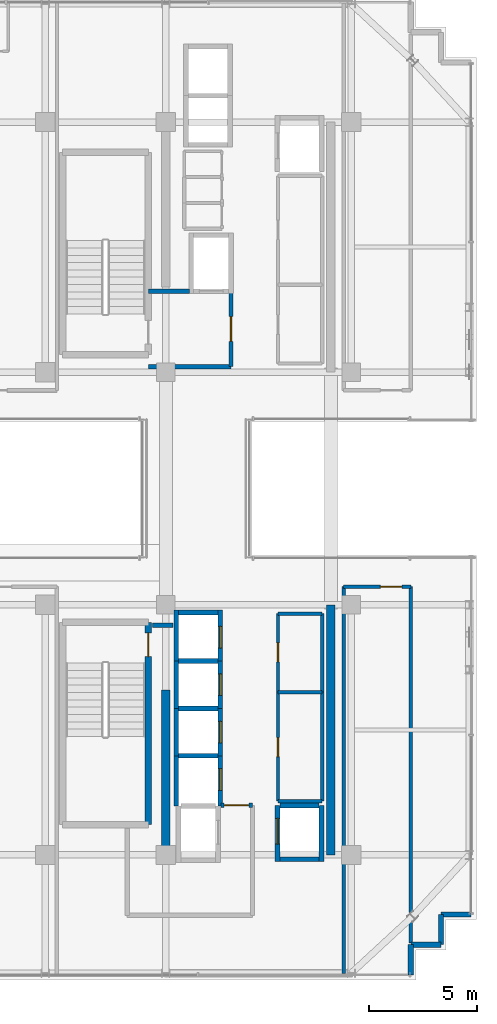
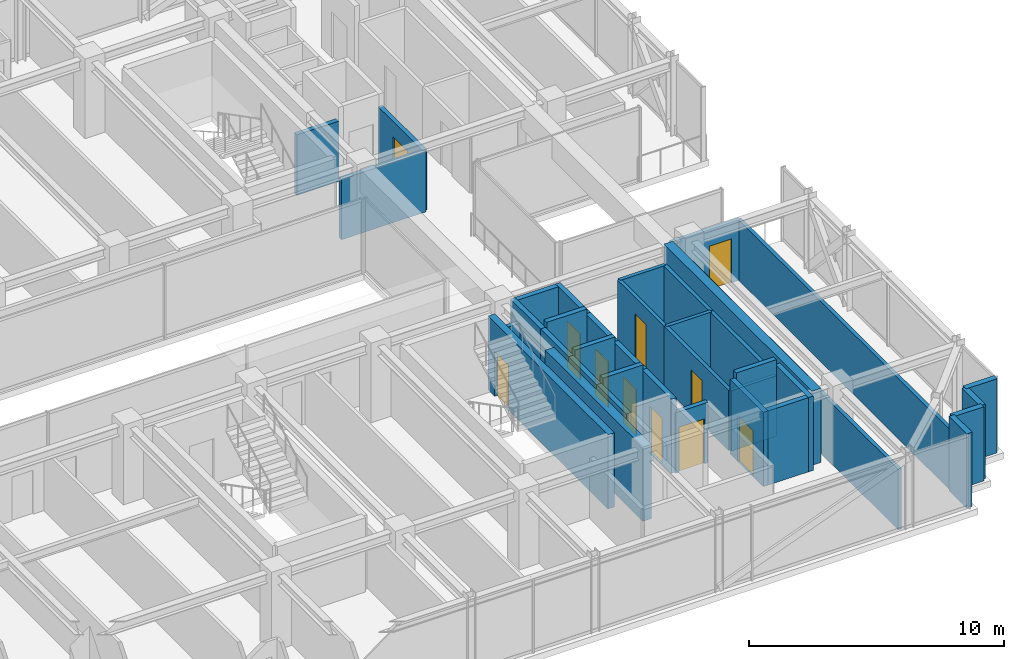
# One storey, part 35 of 41: 38 walls, 11 doors, 11 openings.
"""IFC4 building model written with IfcOpenShell, lengths in metres."""

import ifcopenshell
import ifcopenshell.guid

model = None  # the IFC model being written
_history = None  # IfcOwnerHistory: only IFC2X3 demands one
_inside = {}  # id of a spatial element -> (the spatial element, [elements in it])
_under = {}  # id of a project, library or spatial element -> (it, [spatial elements below it])
_declared = {}  # id of a project -> (the project, [libraries it declares])
_typed = {}  # id of a type object -> (the type object, [elements of that type])
_made_of = {}  # id of a material, layer set ... -> (it, [elements and type objects made of it])


def new_model(schema):
    """Start an empty IFC model of exactly this schema.

    Asked for "IFC4X3", IfcOpenShell would pick the latest addendum, in which some entities
    have other attributes; the version numbers below select the first issue.
    IFC2X3 requires an IfcOwnerHistory on every rooted entity: one is made here for all.
    """
    global model, _history
    if schema == "IFC4X3":
        model = ifcopenshell.file(schema_version=(4, 3, 0, 0))
    else:
        model = ifcopenshell.file(schema=schema)
    _inside.clear()
    _under.clear()
    _declared.clear()
    _typed.clear()
    _made_of.clear()
    _history = None
    if model.schema == "IFC2X3":
        org = make("IfcOrganization", Name="unknown")
        user = make(
            "IfcPersonAndOrganization",
            ThePerson=make("IfcPerson", FamilyName="unknown"),
            TheOrganization=org,
        )
        app = make(
            "IfcApplication",
            ApplicationDeveloper=org,
            Version="unknown",
            ApplicationFullName="unknown",
            ApplicationIdentifier="unknown",
        )
        _history = make(
            "IfcOwnerHistory",
            OwningUser=user,
            OwningApplication=app,
            ChangeAction="ADDED",
            CreationDate=0,
        )
    return model


def make(cls, **values):
    """One entity of the class cls with the attributes given. An attribute that is None is left unset."""
    return model.create_entity(
        cls, **{name: value for name, value in values.items() if value is not None}
    )


def rooted(cls, **values):
    """An entity with a GlobalId (a new one), such as an element, a storey or a relation."""
    return make(cls, GlobalId=ifcopenshell.guid.new(), OwnerHistory=_history, **values)


def si_unit(unit_type, name, prefix=None):
    """IfcSIUnit, for example si_unit("LENGTHUNIT", "METRE", prefix="MILLI")."""
    return make("IfcSIUnit", UnitType=unit_type, Prefix=prefix, Name=name)


def assignment(units):
    """IfcUnitAssignment: the units of a project."""
    return None if units is None else make("IfcUnitAssignment", Units=units)


def point(xyz):
    """IfcCartesianPoint."""
    return None if xyz is None else make("IfcCartesianPoint", Coordinates=xyz)


def direction(xyz):
    """IfcDirection."""
    return None if xyz is None else make("IfcDirection", DirectionRatios=xyz)


def frame(location, z_axis=None, x_axis=None):
    """IfcAxis2Placement3D, a coordinate frame: its origin and axes. An axis left out is left unset."""
    return make(
        "IfcAxis2Placement3D",
        Location=point(location),
        Axis=direction(z_axis),
        RefDirection=direction(x_axis),
    )


def frame_2d(location, x_axis=None):
    """IfcAxis2Placement2D, a coordinate frame in the plane: its origin and x axis."""
    return make(
        "IfcAxis2Placement2D", Location=point(location), RefDirection=direction(x_axis)
    )


def origin():
    """The frame at (0, 0, 0) with its axes left unset."""
    return frame((0.0, 0.0, 0.0))


def place(relative_to, where):
    """IfcLocalPlacement: puts the frame where relative to a parent placement (None: the world)."""
    return make(
        "IfcLocalPlacement", PlacementRelTo=relative_to, RelativePlacement=where
    )


def context(
    kind, dimensions, precision=None, world=None, true_north=None, identifier=None
):
    """IfcGeometricRepresentationContext, for example the 3D "Model" context."""
    return make(
        "IfcGeometricRepresentationContext",
        ContextIdentifier=identifier,
        ContextType=kind,
        CoordinateSpaceDimension=dimensions,
        Precision=precision,
        WorldCoordinateSystem=world,
        TrueNorth=true_north,
    )


def subcontext(parent, identifier, kind, view, scale=None):
    """IfcGeometricRepresentationSubContext, for example "Body" below "Model"."""
    return make(
        "IfcGeometricRepresentationSubContext",
        ContextIdentifier=identifier,
        ContextType=kind,
        ParentContext=parent,
        TargetScale=scale,
        TargetView=view,
    )


def project(units=None, contexts=None):
    """IfcProject with its units and contexts."""
    return rooted(
        "IfcProject",
        Name="project",
        RepresentationContexts=contexts,
        UnitsInContext=assignment(units),
    )


def spatial(cls, under=None, at=None, **own):
    """A site, building, storey or space (cls), placed at a placement, below another one or the project."""
    s = rooted(cls, ObjectPlacement=at, **own)
    if under is not None:
        _under.setdefault(under.id(), (under, []))[1].append(s)
    return s


def profile(cls, at=None, kind="AREA", **sizes):
    """A parametric profile (cls). Its sizes go by their IFC names, for example OverallWidth=200.0."""
    return make(cls, ProfileType=kind, Position=at, **sizes)


def rectangle(**sizes):
    """IfcRectangleProfileDef."""
    return profile("IfcRectangleProfileDef", **sizes)


def extrude(swept, where, along, depth):
    """IfcExtrudedAreaSolid: the profile swept, set in the frame where, extruded along a direction by depth."""
    return make(
        "IfcExtrudedAreaSolid",
        SweptArea=swept,
        Position=where,
        ExtrudedDirection=direction(along),
        Depth=depth,
    )


def shape(context_of_items, identifier, shape_type, items):
    """IfcShapeRepresentation: the items that make up one representation, for example the "Body"."""
    return make(
        "IfcShapeRepresentation",
        ContextOfItems=context_of_items,
        RepresentationIdentifier=identifier,
        RepresentationType=shape_type,
        Items=items,
    )


def source(mapping_origin, context_of_items, identifier, shape_type, items):
    """IfcRepresentationMap: a shape defined once, which mapped items show again and again."""
    return make(
        "IfcRepresentationMap",
        MappingOrigin=mapping_origin,
        MappedRepresentation=shape(context_of_items, identifier, shape_type, items),
    )


def transform(
    local_origin,
    x_axis=None,
    y_axis=None,
    z_axis=None,
    scale=None,
    scale2=None,
    scale3=None,
    uniform=True,
):
    """IfcCartesianTransformationOperator3D, or its non-uniform kind. x_axis, y_axis, z_axis: its Axis1, 2, 3."""
    if uniform:
        return make(
            "IfcCartesianTransformationOperator3D",
            Axis1=direction(x_axis),
            Axis2=direction(y_axis),
            LocalOrigin=point(local_origin),
            Scale=scale,
            Axis3=direction(z_axis),
        )
    return make(
        "IfcCartesianTransformationOperator3DnonUniform",
        Axis1=direction(x_axis),
        Axis2=direction(y_axis),
        LocalOrigin=point(local_origin),
        Scale=scale,
        Axis3=direction(z_axis),
        Scale2=scale2,
        Scale3=scale3,
    )


def mapped(mapping_source, mapping_target):
    """IfcMappedItem: shows the shape of a source again, moved by a transform."""
    return make(
        "IfcMappedItem", MappingSource=mapping_source, MappingTarget=mapping_target
    )


def material(Name=None, Category=None):
    """IfcMaterial."""
    return make("IfcMaterial", Name=Name, Category=Category)


def layer(
    of_material, thickness, ventilated=None, Name=None, Category=None, Priority=None
):
    """IfcMaterialLayer: one layer of a wall or slab, of a material (None: an air gap)."""
    return make(
        "IfcMaterialLayer",
        Material=of_material,
        LayerThickness=thickness,
        IsVentilated=ventilated,
        Name=Name,
        Category=Category,
        Priority=Priority,
    )


def layer_set(layers, Name=None):
    """IfcMaterialLayerSet."""
    return make("IfcMaterialLayerSet", MaterialLayers=layers, LayerSetName=Name)


def made_of(thing, what):
    """Note that an element or type object is made of a material, layer set ...; save() writes the relation."""
    if what is not None:
        _made_of.setdefault(what.id(), (what, []))[1].append(thing)
    return thing


def type_object(cls, material=None, **own):
    """A type object (cls), such as IfcWallType, which elements share."""
    return made_of(rooted(cls, **own), material)


def element(
    cls,
    number,
    at=None,
    inside=None,
    cuts=None,
    type_object=None,
    material=None,
    context=None,
    identifier="Body",
    shape_type=None,
    held_by="IfcProductDefinitionShape",
    body=None,
    shapes=None,
    **own,
):
    """One element of the class cls, such as IfcWall. Its Tag is "e" and its number.

    at: its placement. inside: the storey or other place that contains it. cuts: it is an
    opening in that element (IfcRelVoidsElement). A single representation is given by context,
    identifier, shape_type and body (its items); several are given by shapes. held_by: the class
    of the entity that holds the representations. save() writes the other relations.
    """
    e = rooted(cls, Tag="e%d" % number, ObjectPlacement=at, **own)
    if body is not None:
        shapes = [shape(context, identifier, shape_type, body)]
    if shapes is not None:
        e.Representation = make(held_by, Representations=shapes)
    if inside is not None:
        _inside.setdefault(inside.id(), (inside, []))[1].append(e)
    if cuts is not None:
        rooted(
            "IfcRelVoidsElement", RelatingBuildingElement=cuts, RelatedOpeningElement=e
        )
    if type_object is not None:
        _typed.setdefault(type_object.id(), (type_object, []))[1].append(e)
    return made_of(e, material)


def fill(opening, filler):
    """IfcRelFillsElement: the door or window that sits in an opening."""
    return rooted(
        "IfcRelFillsElement",
        RelatingOpeningElement=opening,
        RelatedBuildingElement=filler,
    )


def aggregate(whole, parts):
    """IfcRelAggregates: a whole, such as a stair, and the parts it consists of."""
    return rooted("IfcRelAggregates", RelatingObject=whole, RelatedObjects=parts)


def save(model, path):
    """Write the relations noted so far, then the file.

    IfcRelAggregates (storeys below a building ...), IfcRelContainedInSpatialStructure (elements
    in a storey), IfcRelDefinesByType, IfcRelAssociatesMaterial and IfcRelDeclares: one each for
    every whole, place, type object, material and project.
    """
    for whole, parts in _under.values():
        aggregate(whole, parts)
    for where, things in _inside.values():
        rooted(
            "IfcRelContainedInSpatialStructure",
            RelatedElements=things,
            RelatingStructure=where,
        )
    for kind, things in _typed.values():
        rooted("IfcRelDefinesByType", RelatedObjects=things, RelatingType=kind)
    for what, things in _made_of.values():
        rooted("IfcRelAssociatesMaterial", RelatedObjects=things, RelatingMaterial=what)
    for by, libraries in _declared.values():
        rooted("IfcRelDeclares", RelatingContext=by, RelatedDefinitions=libraries)
    model.write(path)


model = new_model("IFC4")

# Units and contexts
model_context = context("Model", 3, precision=1e-05, world=origin(), true_north=direction((0.0, 1.0)))
body_context = subcontext(model_context, "Body", "Model", "MODEL_VIEW")
ifc_project = project(units=[si_unit("LENGTHUNIT", "METRE"), si_unit("AREAUNIT", "SQUARE_METRE"), si_unit("VOLUMEUNIT", "CUBIC_METRE"), si_unit("PLANEANGLEUNIT", "RADIAN"), si_unit("MASSUNIT", "GRAM", prefix="KILO")], contexts=[model_context])

# Site, building, storey
site_placement = place(None, origin())
site = spatial("IfcSite", under=ifc_project, at=site_placement, CompositionType="ELEMENT")
building_placement = place(site_placement, origin())
building = spatial("IfcBuilding", under=site, at=building_placement, Name="Nahalor Promenade Grand Hotel", CompositionType="ELEMENT")
storey_placement = place(building_placement, frame((0.0, 0.0, 304.199951171875)))
storey = spatial("IfcBuildingStorey", under=building, at=storey_placement, Name="L78", CompositionType="ELEMENT", Elevation=304.199951171875)

# Walls
ifc_material_1 = material(Name="Concrete B-50 (C40/50)", Category="concrete")
ifc_layer_1 = layer(ifc_material_1, 0.39990234375)
ifc_layer_set_1 = layer_set([ifc_layer_1], Name="Concrete B-50 (C40/50)")
wall_type_1 = type_object("IfcWallType", Name="Wall-CoreShear-400", PredefinedType="SHEAR", material=ifc_layer_set_1)
shared_shape_1 = source(origin(), body_context, "Body", "SweptSolid", [
    extrude(rectangle(XDim=7.64990234375, YDim=0.39990234375, at=frame_2d((3.824951171875, 0.0))), origin(), (0.0, 0.0, 1.0), 3.550048828125),
])
wall_1_placement = place(storey_placement, frame((8.39990234375, -17.0, 0.0), z_axis=(0.0, 0.0, 1.0), x_axis=(0.0, 1.0, 0.0)))
element("IfcWall", 1, at=wall_1_placement, inside=storey, type_object=wall_type_1, Name="CWALL-L78-SW", PredefinedType="SHEAR", context=body_context, shape_type="MappedRepresentation", body=[
    mapped(shared_shape_1, transform((0.0, 0.0, 0.0), scale=1.0)),
])
shared_shape_2 = source(origin(), body_context, "Body", "SweptSolid", [
    extrude(rectangle(XDim=11.60009765625, YDim=0.39990234375, at=frame_2d((5.800048828125, 0.0))), origin(), (0.0, 0.0, 1.0), 3.550048828125),
])
wall_2_placement = place(storey_placement, frame((16.050048828125, -17.0, 0.0), z_axis=(0.0, 0.0, 1.0), x_axis=(0.0, 1.0, 0.0)))
element("IfcWall", 2, at=wall_2_placement, inside=storey, type_object=wall_type_1, Name="CWALL-L78-SE", PredefinedType="SHEAR", context=body_context, shape_type="MappedRepresentation", body=[
    mapped(shared_shape_2, transform((0.0, 0.0, 0.0), scale=1.0)),
])

# Wall, opening, door
ifc_layer_2 = layer(ifc_material_1, 0.300048828125)
ifc_layer_set_2 = layer_set([ifc_layer_2], Name="Concrete B-50 (C40/50)")
wall_type_2 = type_object("IfcWallType", Name="Wall-ShaftShear-300", PredefinedType="SHEAR", material=ifc_layer_set_2)
shared_shape_3 = source(origin(), body_context, "Body", "SweptSolid", [
    extrude(rectangle(XDim=9.380126953125, YDim=0.300048828125, at=frame_2d((4.68994140625, 0.0))), origin(), (0.0, 0.0, 1.0), 3.550048828125),
])
wall_3_placement = place(storey_placement, frame((7.590087890625, -15.590087890625, 0.0), z_axis=(0.0, 0.0, 1.0), x_axis=(0.0, 1.0, 0.0)))
wall_3 = element("IfcWall", 3, at=wall_3_placement, inside=storey, type_object=wall_type_2, Name="L78 Exit Stair ST2 Shaft Wall E", PredefinedType="SHEAR", context=body_context, shape_type="MappedRepresentation", body=[
    mapped(shared_shape_3, transform((0.0, 0.0, 0.0), scale=1.0)),
])
opening_1_placement = place(wall_3_placement, frame((7.7900390625, 0.0, 0.0)))
opening_1 = element("IfcOpeningElement", 4, at=opening_1_placement, cuts=wall_3, Name="Opening D-ST1", PredefinedType="OPENING", context=body_context, shape_type="SweptSolid", body=[
    extrude(rectangle(XDim=1.10009765625, YDim=2.14990234375, at=frame_2d((0.550048828125, 1.074951171875))), frame((0.0, 0.159912109375, 0.0), z_axis=(0.0, -1.0, 0.0), x_axis=(1.0, 0.0, 0.0)), (0.0, 0.0, 1.0), 0.320068359375),
])
ifc_material_2 = material(Name="Steel S355JR", Category="steel")
door_type_1 = type_object("IfcDoorType", Name="Door-StairFire-1100", OperationType="NOTDEFINED", PredefinedType="DOOR", material=ifc_material_2)
shared_shape_4 = source(origin(), body_context, "Body", "SweptSolid", [
    extrude(rectangle(XDim=1.10009765625, YDim=2.14990234375, at=frame_2d((0.550048828125, 1.074951171875))), frame((0.0, 0.02490234375, 0.0), z_axis=(0.0, -1.0, 0.0), x_axis=(1.0, 0.0, 0.0)), (0.0, 0.0, 1.0), 0.050048828125),
])
door_1_placement = place(opening_1_placement, origin())
door_1 = element("IfcDoor", 5, at=door_1_placement, inside=storey, type_object=door_type_1, Name="DR-STAIR-ST2-L78", OperationType="SINGLE_SWING_LEFT", OverallHeight=2.14990234375, OverallWidth=1.10009765625, PredefinedType="DOOR", context=body_context, shape_type="MappedRepresentation", body=[
    mapped(shared_shape_4, transform((0.0, 0.0, 0.0), scale=1.0)),
])
fill(opening_1, door_1)

# Wall
ifc_layer_3 = layer(ifc_material_1, 0.219970703125)
ifc_layer_set_3 = layer_set([ifc_layer_3], Name="Concrete B-50 (C40/50)")
wall_type_3 = type_object("IfcWallType", Name="Wall-LiftShaft-220", PredefinedType="SHEAR", material=ifc_layer_set_3)
shared_shape_5 = source(origin(), body_context, "Body", "SweptSolid", [
    extrude(rectangle(XDim=2.360107421875, YDim=0.219970703125, at=frame_2d((1.18017578125, 0.0))), origin(), (0.0, 0.0, 1.0), 3.550048828125),
])
wall_4_placement = place(storey_placement, frame((8.8798828125, -8.0, 0.0), z_axis=(0.0, 0.0, 1.0), x_axis=(0.0, 1.0, 0.0)))
element("IfcWall", 6, at=wall_4_placement, inside=storey, type_object=wall_type_3, Name="L78 Lift PL9 Hoistway Wall W", PredefinedType="SHEAR", context=body_context, shape_type="MappedRepresentation", body=[
    mapped(shared_shape_5, transform((0.0, 0.0, 0.0), scale=1.0)),
])

# Wall, opening, door
wall_5_placement = place(storey_placement, frame((10.919921875, -8.0, 0.0), z_axis=(0.0, 0.0, 1.0), x_axis=(0.0, 1.0, 0.0)))
wall_5 = element("IfcWall", 7, at=wall_5_placement, inside=storey, type_object=wall_type_3, Name="L78 Lift PL9 Hoistway Wall E", PredefinedType="SHEAR", context=body_context, shape_type="MappedRepresentation", body=[
    mapped(shared_shape_5, transform((0.0, 0.0, 0.0), scale=1.0)),
])
opening_2_placement = place(wall_5_placement, frame((0.60009765625, 0.0, 0.0)))
opening_2 = element("IfcOpeningElement", 8, at=opening_2_placement, cuts=wall_5, Name="Opening LD-01", PredefinedType="OPENING", context=body_context, shape_type="SweptSolid", body=[
    extrude(rectangle(XDim=1.0, YDim=2.199951171875, at=frame_2d((0.5, 1.10009765625))), frame((0.0, 0.119873046875, 0.0), z_axis=(0.0, -1.0, 0.0), x_axis=(1.0, 0.0, 0.0)), (0.0, 0.0, 1.0), 0.239990234375),
])
door_type_2 = type_object("IfcDoorType", Name="Door-LiftLanding-1000", OperationType="DOUBLE_DOOR_SLIDING", PredefinedType="DOOR", material=ifc_material_2)
shared_shape_6 = source(origin(), body_context, "Body", "SweptSolid", [
    extrude(rectangle(XDim=1.0, YDim=2.199951171875, at=frame_2d((0.5, 1.10009765625))), frame((0.0, 0.02490234375, 0.0), z_axis=(0.0, -1.0, 0.0), x_axis=(1.0, 0.0, 0.0)), (0.0, 0.0, 1.0), 0.050048828125),
])
door_2_placement = place(opening_2_placement, frame((1.0, 0.0, 0.0), z_axis=(0.0, 0.0, 1.0), x_axis=(-1.0, 0.0, 0.0)))
door_2 = element("IfcDoor", 9, at=door_2_placement, inside=storey, type_object=door_type_2, Name="DR-LIFT-PL9-L78", OperationType="DOUBLE_DOOR_SLIDING", OverallHeight=2.199951171875, OverallWidth=1.0, PredefinedType="DOOR", context=body_context, shape_type="MappedRepresentation", body=[
    mapped(shared_shape_6, transform((0.0, 0.0, 0.0), scale=1.0)),
])
fill(opening_2, door_2)

# Walls
shared_shape_7 = source(origin(), body_context, "Body", "SweptSolid", [
    extrude(rectangle(XDim=1.820068359375, YDim=0.219970703125, at=frame_2d((0.91015625, 0.0))), origin(), (0.0, 0.0, 1.0), 3.550048828125),
])
for number, where, z_axis, x_axis, name in (
    (10, (8.989990234375, -5.75, 0.0), (0.0, 0.0, 1.0), (1.0, 0.0, 0.0), "L78 Lift PL9 Hoistway Wall N"),
    (11, (13.68994140625, -17.199951171875, 0.0), (0.0, 0.0, 1.0), (1.0, 0.0, 0.0), "L78 Lift SV2 Hoistway Wall S"),
):
    element("IfcWall", number, at=place(storey_placement, frame(where, z_axis=z_axis, x_axis=x_axis)), inside=storey, type_object=wall_type_3, Name=name, PredefinedType="SHEAR", context=body_context, shape_type="MappedRepresentation", body=[
        mapped(shared_shape_7, transform((0.0, 0.0, 0.0), scale=1.0)),
    ])
shared_shape_8 = source(origin(), body_context, "Body", "SweptSolid", [
    extrude(rectangle(XDim=2.199951171875, YDim=0.219970703125, at=frame_2d((1.10009765625, 0.0))), origin(), (0.0, 0.0, 1.0), 3.550048828125),
])
wall_6_placement = place(storey_placement, frame((8.8798828125, -10.199951171875, 0.0), z_axis=(0.0, 0.0, 1.0), x_axis=(0.0, 1.0, 0.0)))
element("IfcWall", 12, at=wall_6_placement, inside=storey, type_object=wall_type_3, Name="L78 Lift PL10 Hoistway Wall W", PredefinedType="SHEAR", context=body_context, shape_type="MappedRepresentation", body=[
    mapped(shared_shape_8, transform((0.0, 0.0, 0.0), scale=1.0)),
])

# Wall, opening, door
wall_7_placement = place(storey_placement, frame((10.919921875, -10.199951171875, 0.0), z_axis=(0.0, 0.0, 1.0), x_axis=(0.0, 1.0, 0.0)))
wall_7 = element("IfcWall", 13, at=wall_7_placement, inside=storey, type_object=wall_type_3, Name="L78 Lift PL10 Hoistway Wall E", PredefinedType="SHEAR", context=body_context, shape_type="MappedRepresentation", body=[
    mapped(shared_shape_8, transform((0.0, 0.0, 0.0), scale=1.0)),
])
opening_3_placement = place(wall_7_placement, frame((0.60009765625, 0.0, 0.0)))
opening_3 = element("IfcOpeningElement", 14, at=opening_3_placement, cuts=wall_7, Name="Opening LD-01", PredefinedType="OPENING", context=body_context, shape_type="SweptSolid", body=[
    extrude(rectangle(XDim=1.0, YDim=2.199951171875, at=frame_2d((0.5, 1.10009765625))), frame((0.0, 0.119873046875, 0.0), z_axis=(0.0, -1.0, 0.0), x_axis=(1.0, 0.0, 0.0)), (0.0, 0.0, 1.0), 0.239990234375),
])
door_3_placement = place(opening_3_placement, frame((1.0, 0.0, 0.0), z_axis=(0.0, 0.0, 1.0), x_axis=(-1.0, 0.0, 0.0)))
door_3 = element("IfcDoor", 15, at=door_3_placement, inside=storey, type_object=door_type_2, Name="DR-LIFT-PL10-L78", OperationType="DOUBLE_DOOR_SLIDING", OverallHeight=2.199951171875, OverallWidth=1.0, PredefinedType="DOOR", context=body_context, shape_type="MappedRepresentation", body=[
    mapped(shared_shape_6, transform((0.0, 0.0, 0.0), scale=1.0)),
])
fill(opening_3, door_3)

# Wall
wall_8_placement = place(storey_placement, frame((8.8798828125, -12.39990234375, 0.0), z_axis=(0.0, 0.0, 1.0), x_axis=(0.0, 1.0, 0.0)))
element("IfcWall", 16, at=wall_8_placement, inside=storey, type_object=wall_type_3, Name="L78 Lift PL11 Hoistway Wall W", PredefinedType="SHEAR", context=body_context, shape_type="MappedRepresentation", body=[
    mapped(shared_shape_8, transform((0.0, 0.0, 0.0), scale=1.0)),
])

# Wall, opening, door
wall_9_placement = place(storey_placement, frame((10.919921875, -12.39990234375, 0.0), z_axis=(0.0, 0.0, 1.0), x_axis=(0.0, 1.0, 0.0)))
wall_9 = element("IfcWall", 17, at=wall_9_placement, inside=storey, type_object=wall_type_3, Name="L78 Lift PL11 Hoistway Wall E", PredefinedType="SHEAR", context=body_context, shape_type="MappedRepresentation", body=[
    mapped(shared_shape_8, transform((0.0, 0.0, 0.0), scale=1.0)),
])
opening_4_placement = place(wall_9_placement, frame((0.60009765625, 0.0, 0.0)))
opening_4 = element("IfcOpeningElement", 18, at=opening_4_placement, cuts=wall_9, Name="Opening LD-01", PredefinedType="OPENING", context=body_context, shape_type="SweptSolid", body=[
    extrude(rectangle(XDim=1.0, YDim=2.199951171875, at=frame_2d((0.5, 1.10009765625))), frame((0.0, 0.119873046875, 0.0), z_axis=(0.0, -1.0, 0.0), x_axis=(1.0, 0.0, 0.0)), (0.0, 0.0, 1.0), 0.239990234375),
])
door_4_placement = place(opening_4_placement, frame((1.0, 0.0, 0.0), z_axis=(0.0, 0.0, 1.0), x_axis=(-1.0, 0.0, 0.0)))
door_4 = element("IfcDoor", 19, at=door_4_placement, inside=storey, type_object=door_type_2, Name="DR-LIFT-PL11-L78", OperationType="DOUBLE_DOOR_SLIDING", OverallHeight=2.199951171875, OverallWidth=1.0, PredefinedType="DOOR", context=body_context, shape_type="MappedRepresentation", body=[
    mapped(shared_shape_6, transform((0.0, 0.0, 0.0), scale=1.0)),
])
fill(opening_4, door_4)

# Walls
shared_shape_9 = source(origin(), body_context, "Body", "SweptSolid", [
    extrude(rectangle(XDim=1.820068359375, YDim=0.219970703125, at=frame_2d((0.91015625, 0.0))), origin(), (0.0, 0.0, 1.0), 3.85009765625),
])
for number, where, z_axis, x_axis, name in (
    (20, (8.989990234375, -8.0, 0.0), (0.0, 0.0, 1.0), (1.0, 0.0, 0.0), "L78 Lift PL10 Hoistway Wall N"),
    (21, (8.989990234375, -10.199951171875, 0.0), (0.0, 0.0, 1.0), (1.0, 0.0, 0.0), "L78 Lift PL11 Hoistway Wall N"),
    (22, (8.989990234375, -12.39990234375, 0.0), (0.0, 0.0, 1.0), (1.0, 0.0, 0.0), "L78 Lift PL12 Hoistway Wall N"),
    (23, (13.68994140625, -14.699951171875, 0.0), (0.0, 0.0, 1.0), (1.0, 0.0, 0.0), "L78 Lift SV2 Hoistway Wall N"),
):
    element("IfcWall", number, at=place(storey_placement, frame(where, z_axis=z_axis, x_axis=x_axis)), inside=storey, type_object=wall_type_3, Name=name, PredefinedType="SHEAR", context=body_context, shape_type="MappedRepresentation", body=[
        mapped(shared_shape_9, transform((0.0, 0.0, 0.0), scale=1.0)),
    ])
shared_shape_10 = source(origin(), body_context, "Body", "SweptSolid", [
    extrude(rectangle(XDim=2.3251953125, YDim=0.219970703125, at=frame_2d((1.16259765625, 0.0))), origin(), (0.0, 0.0, 1.0), 3.550048828125),
])
wall_10_placement = place(storey_placement, frame((8.8798828125, -14.72509765625, 0.0), z_axis=(0.0, 0.0, 1.0), x_axis=(0.0, 1.0, 0.0)))
element("IfcWall", 24, at=wall_10_placement, inside=storey, type_object=wall_type_3, Name="L78 Lift PL12 Hoistway Wall W", PredefinedType="SHEAR", context=body_context, shape_type="MappedRepresentation", body=[
    mapped(shared_shape_10, transform((0.0, 0.0, 0.0), scale=1.0)),
])

# Wall, opening, door
wall_11_placement = place(storey_placement, frame((10.919921875, -14.72509765625, 0.0), z_axis=(0.0, 0.0, 1.0), x_axis=(0.0, 1.0, 0.0)))
wall_11 = element("IfcWall", 25, at=wall_11_placement, inside=storey, type_object=wall_type_3, Name="L78 Lift PL12 Hoistway Wall E", PredefinedType="SHEAR", context=body_context, shape_type="MappedRepresentation", body=[
    mapped(shared_shape_10, transform((0.0, 0.0, 0.0), scale=1.0)),
])
opening_5_placement = place(wall_11_placement, frame((0.72509765625, 0.0, 0.0)))
opening_5 = element("IfcOpeningElement", 26, at=opening_5_placement, cuts=wall_11, Name="Opening LD-01", PredefinedType="OPENING", context=body_context, shape_type="SweptSolid", body=[
    extrude(rectangle(XDim=1.0, YDim=2.199951171875, at=frame_2d((0.5, 1.10009765625))), frame((0.0, 0.119873046875, 0.0), z_axis=(0.0, -1.0, 0.0), x_axis=(1.0, 0.0, 0.0)), (0.0, 0.0, 1.0), 0.239990234375),
])
door_5_placement = place(opening_5_placement, frame((1.0, 0.0, 0.0), z_axis=(0.0, 0.0, 1.0), x_axis=(-1.0, 0.0, 0.0)))
door_5 = element("IfcDoor", 27, at=door_5_placement, inside=storey, type_object=door_type_2, Name="DR-LIFT-PL12-L78", OperationType="DOUBLE_DOOR_SLIDING", OverallHeight=2.199951171875, OverallWidth=1.0, PredefinedType="DOOR", context=body_context, shape_type="MappedRepresentation", body=[
    mapped(shared_shape_6, transform((0.0, 0.0, 0.0), scale=1.0)),
])
fill(opening_5, door_5)

shared_shape_11 = source(origin(), body_context, "Body", "SweptSolid", [
    extrude(rectangle(XDim=2.610107421875, YDim=0.219970703125, at=frame_2d((1.30517578125, 0.0))), origin(), (0.0, 0.0, 1.0), 3.550048828125),
])
wall_12_placement = place(storey_placement, frame((13.580078125, -17.31005859375, 0.0), z_axis=(0.0, 0.0, 1.0), x_axis=(0.0, 1.0, 0.0)))
wall_12 = element("IfcWall", 28, at=wall_12_placement, inside=storey, type_object=wall_type_3, Name="L78 Lift SV2 Hoistway Wall W", PredefinedType="SHEAR", context=body_context, shape_type="MappedRepresentation", body=[
    mapped(shared_shape_11, transform((0.0, 0.0, 0.0), scale=1.0)),
])
opening_6_placement = place(wall_12_placement, frame((0.81005859375, 0.0, 0.0)))
opening_6 = element("IfcOpeningElement", 29, at=opening_6_placement, cuts=wall_12, Name="Opening LD-03", PredefinedType="OPENING", context=body_context, shape_type="SweptSolid", body=[
    extrude(rectangle(XDim=1.199951171875, YDim=2.199951171875, at=frame_2d((0.60009765625, 1.10009765625))), frame((0.0, 0.119873046875, 0.0), z_axis=(0.0, -1.0, 0.0), x_axis=(1.0, 0.0, 0.0)), (0.0, 0.0, 1.0), 0.239990234375),
])
door_type_3 = type_object("IfcDoorType", Name="Door-LiftService-1200", OperationType="DOUBLE_DOOR_SLIDING", PredefinedType="DOOR", material=ifc_material_2)
shared_shape_12 = source(origin(), body_context, "Body", "SweptSolid", [
    extrude(rectangle(XDim=1.199951171875, YDim=2.199951171875, at=frame_2d((0.60009765625, 1.10009765625))), frame((0.0, 0.02490234375, 0.0), z_axis=(0.0, -1.0, 0.0), x_axis=(1.0, 0.0, 0.0)), (0.0, 0.0, 1.0), 0.050048828125),
])
door_6_placement = place(opening_6_placement, origin())
door_6 = element("IfcDoor", 30, at=door_6_placement, inside=storey, type_object=door_type_3, Name="DR-LIFT-SV2-L78", OperationType="DOUBLE_DOOR_SLIDING", OverallHeight=2.199951171875, OverallWidth=1.199951171875, PredefinedType="DOOR", context=body_context, shape_type="MappedRepresentation", body=[
    mapped(shared_shape_12, transform((0.0, 0.0, 0.0), scale=1.0)),
])
fill(opening_6, door_6)

# Walls
wall_13_placement = place(storey_placement, frame((15.6201171875, -17.31005859375, 0.0), z_axis=(0.0, 0.0, 1.0), x_axis=(0.0, 1.0, 0.0)))
element("IfcWall", 31, at=wall_13_placement, inside=storey, type_object=wall_type_3, Name="L78 Lift SV2 Hoistway Wall E", PredefinedType="SHEAR", context=body_context, shape_type="MappedRepresentation", body=[
    mapped(shared_shape_11, transform((0.0, 0.0, 0.0), scale=1.0)),
])
ifc_material_3 = material(Name="Concrete B-40 (C32/40)", Category="concrete")
ifc_layer_4 = layer(ifc_material_3, 0.25)
ifc_layer_set_4 = layer_set([ifc_layer_4], Name="Concrete B-40 (C32/40)")
wall_type_4 = type_object("IfcWallType", Name="Wall-BronzePier-250", PredefinedType="STANDARD", material=ifc_layer_set_4)
shared_shape_13 = source(origin(), body_context, "Body", "SweptSolid", [
    extrude(rectangle(XDim=1.400146484375, YDim=0.25, at=frame_2d((0.7001953125, 0.0))), origin(), (0.0, 0.0, 1.0), 3.550048828125),
])
for number, where, z_axis, x_axis, name in (
    (32, (19.760009765625, -22.56005859375, 0.0), (0.0, 0.0, 1.0), (0.0, 1.0, 0.0), "W-L78-SR-01"),
    (33, (21.159912109375, -19.760009765625, 0.0), (0.0, 0.0, 1.0), (1.0, 0.0, 0.0), "W-L78-SR-04"),
):
    element("IfcWall", number, at=place(storey_placement, frame(where, z_axis=z_axis, x_axis=x_axis)), inside=storey, type_object=wall_type_4, Name=name, PredefinedType="STANDARD", context=body_context, shape_type="MappedRepresentation", body=[
        mapped(shared_shape_13, transform((0.0, 0.0, 0.0), scale=1.0)),
    ])
shared_shape_14 = source(origin(), body_context, "Body", "SweptSolid", [
    extrude(rectangle(XDim=1.39990234375, YDim=0.25, at=frame_2d((0.699951171875, 0.0))), origin(), (0.0, 0.0, 1.0), 3.550048828125),
])
for number, where, z_axis, x_axis, name in (
    (34, (19.760009765625, -21.159912109375, 0.0), (0.0, 0.0, 1.0), (1.0, 0.0, 0.0), "W-L78-SR-02"),
    (35, (21.159912109375, -21.159912109375, 0.0), (0.0, 0.0, 1.0), (0.0, 1.0, 0.0), "W-L78-SR-03"),
):
    element("IfcWall", number, at=place(storey_placement, frame(where, z_axis=z_axis, x_axis=x_axis)), inside=storey, type_object=wall_type_4, Name=name, PredefinedType="STANDARD", context=body_context, shape_type="MappedRepresentation", body=[
        mapped(shared_shape_14, transform((0.0, 0.0, 0.0), scale=1.0)),
    ])
ifc_layer_5 = layer(ifc_material_3, 0.199951171875)
ifc_layer_set_5 = layer_set([ifc_layer_5], Name="Concrete B-40 (C32/40)")
wall_type_5 = type_object("IfcWallType", Name="Wall-PartFire-200", PredefinedType="PARTITIONING", material=ifc_layer_set_5)
shared_shape_15 = source(origin(), body_context, "Body", "SweptSolid", [
    extrude(rectangle(XDim=3.81982421875, YDim=0.199951171875, at=frame_2d((1.909912109375, 0.0))), origin(), (0.0, 0.0, 1.0), 2.89013671875),
])
wall_14_placement = place(storey_placement, frame((7.60009765625, 5.64990234375, 0.0), z_axis=(0.0, 0.0, 1.0), x_axis=(1.0, 0.0, 0.0)))
element("IfcWall", 36, at=wall_14_placement, inside=storey, type_object=wall_type_5, Name="W-L78-FF1-S", PredefinedType="PARTITIONING", context=body_context, shape_type="MappedRepresentation", body=[
    mapped(shared_shape_15, transform((0.0, 0.0, 0.0), scale=1.0)),
])
shared_shape_16 = source(origin(), body_context, "Body", "SweptSolid", [
    extrude(rectangle(XDim=1.89990234375, YDim=0.199951171875, at=frame_2d((0.949951171875, 0.0))), origin(), (0.0, 0.0, 1.0), 2.89013671875),
])
wall_15_placement = place(storey_placement, frame((7.60009765625, 9.14990234375, 0.0), z_axis=(0.0, 0.0, 1.0), x_axis=(1.0, 0.0, 0.0)))
element("IfcWall", 37, at=wall_15_placement, inside=storey, type_object=wall_type_5, Name="W-L78-FF1-N", PredefinedType="PARTITIONING", context=body_context, shape_type="MappedRepresentation", body=[
    mapped(shared_shape_16, transform((0.0, 0.0, 0.0), scale=1.0)),
])

# Wall, opening, door
shared_shape_17 = source(origin(), body_context, "Body", "SweptSolid", [
    extrude(rectangle(XDim=3.5, YDim=0.199951171875, at=frame_2d((1.75, 0.0))), origin(), (0.0, 0.0, 1.0), 2.89013671875),
])
wall_16_placement = place(storey_placement, frame((11.419921875, 5.64990234375, 0.0), z_axis=(0.0, 0.0, 1.0), x_axis=(0.0, 1.0, 0.0)))
wall_16 = element("IfcWall", 38, at=wall_16_placement, inside=storey, type_object=wall_type_5, Name="W-L78-FF1-E", PredefinedType="PARTITIONING", context=body_context, shape_type="MappedRepresentation", body=[
    mapped(shared_shape_17, transform((0.0, 0.0, 0.0), scale=1.0)),
])
opening_7_placement = place(wall_16_placement, frame((1.175048828125, 0.0, 0.0)))
opening_7 = element("IfcOpeningElement", 39, at=opening_7_placement, cuts=wall_16, Name="Opening D-FF1", PredefinedType="OPENING", context=body_context, shape_type="SweptSolid", body=[
    extrude(rectangle(XDim=1.14990234375, YDim=2.14990234375, at=frame_2d((0.574951171875, 1.074951171875))), frame((0.0, 0.10986328125, 0.0), z_axis=(0.0, -1.0, 0.0), x_axis=(1.0, 0.0, 0.0)), (0.0, 0.0, 1.0), 0.219970703125),
])
door_type_4 = type_object("IfcDoorType", Name="Door-FFLobby-1150", OperationType="NOTDEFINED", PredefinedType="DOOR", material=ifc_material_2)
shared_shape_18 = source(origin(), body_context, "Body", "SweptSolid", [
    extrude(rectangle(XDim=1.14990234375, YDim=2.14990234375, at=frame_2d((0.574951171875, 1.074951171875))), frame((0.0, 0.02490234375, 0.0), z_axis=(0.0, -1.0, 0.0), x_axis=(1.0, 0.0, 0.0)), (0.0, 0.0, 1.0), 0.050048828125),
])
door_7_placement = place(opening_7_placement, frame((1.14990234375, 0.0, 0.0), z_axis=(0.0, 0.0, 1.0), x_axis=(-1.0, 0.0, 0.0)))
door_7 = element("IfcDoor", 40, at=door_7_placement, inside=storey, type_object=door_type_4, Name="DR-L78-FFL1", OperationType="SINGLE_SWING_LEFT", OverallHeight=2.14990234375, OverallWidth=1.14990234375, PredefinedType="DOOR", context=body_context, shape_type="MappedRepresentation", body=[
    mapped(shared_shape_18, transform((0.0, 0.0, 0.0), scale=1.0)),
])
fill(opening_7, door_7)

shared_shape_19 = source(origin(), body_context, "Body", "SweptSolid", [
    extrude(rectangle(XDim=1.4599609375, YDim=0.199951171875, at=frame_2d((0.72998046875, 0.0))), origin(), (0.0, 0.0, 1.0), 2.89013671875),
])
wall_17_placement = place(storey_placement, frame((10.9599609375, -14.699951171875, 0.0), z_axis=(0.0, 0.0, 1.0), x_axis=(1.0, 0.0, 0.0)))
wall_17 = element("IfcWall", 41, at=wall_17_placement, inside=storey, type_object=wall_type_5, Name="W-L78-FF2-N1", PredefinedType="PARTITIONING", context=body_context, shape_type="MappedRepresentation", body=[
    mapped(shared_shape_19, transform((0.0, 0.0, 0.0), scale=1.0)),
])
opening_8_placement = place(wall_17_placement, frame((0.14501953125, 0.0, 0.0)))
opening_8 = element("IfcOpeningElement", 42, at=opening_8_placement, cuts=wall_17, Name="Opening D-FF1", PredefinedType="OPENING", context=body_context, shape_type="SweptSolid", body=[
    extrude(rectangle(XDim=1.14990234375, YDim=2.14990234375, at=frame_2d((0.574951171875, 1.074951171875))), frame((0.0, 0.10986328125, 0.0), z_axis=(0.0, -1.0, 0.0), x_axis=(1.0, 0.0, 0.0)), (0.0, 0.0, 1.0), 0.219970703125),
])
door_8_placement = place(opening_8_placement, origin())
door_8 = element("IfcDoor", 43, at=door_8_placement, inside=storey, type_object=door_type_4, Name="DR-L78-FFL2", OperationType="SINGLE_SWING_RIGHT", OverallHeight=2.14990234375, OverallWidth=1.14990234375, PredefinedType="DOOR", context=body_context, shape_type="MappedRepresentation", body=[
    mapped(shared_shape_18, transform((0.0, 0.0, 0.0), scale=1.0)),
])
fill(opening_8, door_8)

# Walls
shared_shape_20 = source(origin(), body_context, "Body", "SweptSolid", [
    extrude(rectangle(XDim=0.969970703125, YDim=0.199951171875, at=frame_2d((0.48486328125, 0.0))), origin(), (0.0, 0.0, 1.0), 2.89013671875),
])
wall_18_placement = place(storey_placement, frame((7.77001953125, -6.35009765625, 0.0), z_axis=(0.0, 0.0, 1.0), x_axis=(1.0, 0.0, 0.0)))
element("IfcWall", 44, at=wall_18_placement, inside=storey, type_object=wall_type_5, Name="W-L78-FF2-N2", PredefinedType="PARTITIONING", context=body_context, shape_type="MappedRepresentation", body=[
    mapped(shared_shape_20, transform((0.0, 0.0, 0.0), scale=1.0)),
])
ifc_material_4 = material(Name="Acoustic Mineral Gypsum", Category="gypsum")
ifc_layer_6 = layer(ifc_material_4, 0.159912109375)
ifc_layer_set_6 = layer_set([ifc_layer_6], Name="Acoustic Mineral Gypsum")
wall_type_6 = type_object("IfcWallType", Name="Wall-PartCorridor-160", PredefinedType="PARTITIONING", material=ifc_layer_set_6)
shared_shape_21 = source(origin(), body_context, "Body", "SweptSolid", [
    extrude(rectangle(XDim=2.0498046875, YDim=0.159912109375, at=frame_2d((1.02490234375, 0.0))), origin(), (0.0, 0.0, 1.0), 2.89013671875),
])
for number, where, z_axis, x_axis, name in (
    (45, (13.60009765625, -14.5, 0.0), (0.0, 0.0, 1.0), (1.0, 0.0, 0.0), "W-L78-FRB2A-S"),
    (46, (13.60009765625, -9.449951171875, 0.0), (0.0, 0.0, 1.0), (1.0, 0.0, 0.0), "W-L78-FRB2A-N"),
    (47, (13.60009765625, -5.800048828125, 0.0), (0.0, 0.0, 1.0), (1.0, 0.0, 0.0), "W-L78-FRB2B-N"),
):
    element("IfcWall", number, at=place(storey_placement, frame(where, z_axis=z_axis, x_axis=x_axis)), inside=storey, type_object=wall_type_6, Name=name, PredefinedType="PARTITIONING", context=body_context, shape_type="MappedRepresentation", body=[
        mapped(shared_shape_21, transform((0.0, 0.0, 0.0), scale=1.0)),
    ])

# Wall, opening, door
shared_shape_22 = source(origin(), body_context, "Body", "SweptSolid", [
    extrude(rectangle(XDim=3.64990234375, YDim=0.159912109375, at=frame_2d((1.824951171875, 0.0))), origin(), (0.0, 0.0, 1.0), 2.89013671875),
])
wall_19_placement = place(storey_placement, frame((13.60009765625, -9.449951171875, 0.0), z_axis=(0.0, 0.0, 1.0), x_axis=(0.0, 1.0, 0.0)))
wall_19 = element("IfcWall", 48, at=wall_19_placement, inside=storey, type_object=wall_type_6, Name="W-L78-FRB2B-W", PredefinedType="PARTITIONING", context=body_context, shape_type="MappedRepresentation", body=[
    mapped(shared_shape_22, transform((0.0, 0.0, 0.0), scale=1.0)),
])
opening_9_placement = place(wall_19_placement, frame((1.409912109375, 0.0, 0.0)))
opening_9 = element("IfcOpeningElement", 49, at=opening_9_placement, cuts=wall_19, Name="Opening D-03", PredefinedType="OPENING", context=body_context, shape_type="SweptSolid", body=[
    extrude(rectangle(XDim=0.8798828125, YDim=2.10009765625, at=frame_2d((0.43994140625, 1.050048828125))), frame((0.0, 0.08984375, 0.0), z_axis=(0.0, -1.0, 0.0), x_axis=(1.0, 0.0, 0.0)), (0.0, 0.0, 1.0), 0.179931640625),
])
ifc_material_5 = material(Name="Fire-Rated Timber Composite", Category="wood")
door_type_5 = type_object("IfcDoorType", Name="Door-BathSwing-880", OperationType="NOTDEFINED", PredefinedType="DOOR", material=ifc_material_5)
shared_shape_23 = source(origin(), body_context, "Body", "SweptSolid", [
    extrude(rectangle(XDim=0.8798828125, YDim=2.10009765625, at=frame_2d((0.43994140625, 1.050048828125))), frame((0.0, 0.02490234375, 0.0), z_axis=(0.0, -1.0, 0.0), x_axis=(1.0, 0.0, 0.0)), (0.0, 0.0, 1.0), 0.050048828125),
])
door_9_placement = place(opening_9_placement, frame((0.8798828125, 0.0, 0.0), z_axis=(0.0, 0.0, 1.0), x_axis=(-1.0, 0.0, 0.0)))
door_9 = element("IfcDoor", 50, at=door_9_placement, inside=storey, type_object=door_type_5, Name="DR-L78-FRB2B", OperationType="SINGLE_SWING_LEFT", OverallHeight=2.10009765625, OverallWidth=0.8798828125, PredefinedType="DOOR", context=body_context, shape_type="MappedRepresentation", body=[
    mapped(shared_shape_23, transform((0.0, 0.0, 0.0), scale=1.0)),
])
fill(opening_9, door_9)

# Wall
wall_20_placement = place(storey_placement, frame((15.64990234375, -9.449951171875, 0.0), z_axis=(0.0, 0.0, 1.0), x_axis=(0.0, 1.0, 0.0)))
element("IfcWall", 51, at=wall_20_placement, inside=storey, type_object=wall_type_6, Name="W-L78-FRB2B-E", PredefinedType="PARTITIONING", context=body_context, shape_type="MappedRepresentation", body=[
    mapped(shared_shape_22, transform((0.0, 0.0, 0.0), scale=1.0)),
])

# Wall, opening, door
shared_shape_24 = source(origin(), body_context, "Body", "SweptSolid", [
    extrude(rectangle(XDim=5.050048828125, YDim=0.159912109375, at=frame_2d((2.52490234375, 0.0))), origin(), (0.0, 0.0, 1.0), 2.89013671875),
])
wall_21_placement = place(storey_placement, frame((13.60009765625, -14.5, 0.0), z_axis=(0.0, 0.0, 1.0), x_axis=(0.0, 1.0, 0.0)))
wall_21 = element("IfcWall", 52, at=wall_21_placement, inside=storey, type_object=wall_type_6, Name="W-L78-FRB2A-W", PredefinedType="PARTITIONING", context=body_context, shape_type="MappedRepresentation", body=[
    mapped(shared_shape_24, transform((0.0, 0.0, 0.0), scale=1.0)),
])
opening_10_placement = place(wall_21_placement, frame((2.06005859375, 0.0, 0.0)))
opening_10 = element("IfcOpeningElement", 53, at=opening_10_placement, cuts=wall_21, Name="Opening D-03", PredefinedType="OPENING", context=body_context, shape_type="SweptSolid", body=[
    extrude(rectangle(XDim=0.8798828125, YDim=2.10009765625, at=frame_2d((0.43994140625, 1.050048828125))), frame((0.0, 0.08984375, 0.0), z_axis=(0.0, -1.0, 0.0), x_axis=(1.0, 0.0, 0.0)), (0.0, 0.0, 1.0), 0.179931640625),
])
door_10_placement = place(opening_10_placement, frame((0.8798828125, 0.0, 0.0), z_axis=(0.0, 0.0, 1.0), x_axis=(-1.0, 0.0, 0.0)))
door_10 = element("IfcDoor", 54, at=door_10_placement, inside=storey, type_object=door_type_5, Name="DR-L78-FRB2A", OperationType="SINGLE_SWING_RIGHT", OverallHeight=2.10009765625, OverallWidth=0.8798828125, PredefinedType="DOOR", context=body_context, shape_type="MappedRepresentation", body=[
    mapped(shared_shape_23, transform((0.0, 0.0, 0.0), scale=1.0)),
])
fill(opening_10, door_10)

# Wall
wall_22_placement = place(storey_placement, frame((15.64990234375, -14.5, 0.0), z_axis=(0.0, 0.0, 1.0), x_axis=(0.0, 1.0, 0.0)))
element("IfcWall", 55, at=wall_22_placement, inside=storey, type_object=wall_type_6, Name="W-L78-FRB2A-E", PredefinedType="PARTITIONING", context=body_context, shape_type="MappedRepresentation", body=[
    mapped(shared_shape_24, transform((0.0, 0.0, 0.0), scale=1.0)),
])

# Wall, opening, door
shared_shape_25 = source(origin(), body_context, "Body", "SweptSolid", [
    extrude(rectangle(XDim=3.110107421875, YDim=0.159912109375, at=frame_2d((1.55517578125, 0.0))), origin(), (0.0, 0.0, 1.0), 2.89013671875),
])
wall_23_placement = place(storey_placement, frame((16.64990234375, -4.550048828125, 0.0), z_axis=(0.0, 0.0, 1.0), x_axis=(1.0, 0.0, 0.0)))
wall_23 = element("IfcWall", 56, at=wall_23_placement, inside=storey, type_object=wall_type_6, Name="W-L78-ESE-N", PredefinedType="PARTITIONING", context=body_context, shape_type="MappedRepresentation", body=[
    mapped(shared_shape_25, transform((0.0, 0.0, 0.0), scale=1.0)),
])
opening_11_placement = place(wall_23_placement, frame((1.700927734375, 0.0, 0.0)))
opening_11 = element("IfcOpeningElement", 57, at=opening_11_placement, cuts=wall_23, Name="Opening D-04", PredefinedType="OPENING", context=body_context, shape_type="SweptSolid", body=[
    extrude(rectangle(XDim=1.0, YDim=2.10009765625, at=frame_2d((0.5, 1.050048828125))), frame((0.0, 0.08984375, 0.0), z_axis=(0.0, -1.0, 0.0), x_axis=(1.0, 0.0, 0.0)), (0.0, 0.0, 1.0), 0.179931640625),
])
door_type_6 = type_object("IfcDoorType", Name="Door-ServiceFire-1000", OperationType="NOTDEFINED", PredefinedType="DOOR", material=ifc_material_2)
shared_shape_26 = source(origin(), body_context, "Body", "SweptSolid", [
    extrude(rectangle(XDim=1.0, YDim=2.10009765625, at=frame_2d((0.5, 1.050048828125))), frame((0.0, 0.02490234375, 0.0), z_axis=(0.0, -1.0, 0.0), x_axis=(1.0, 0.0, 0.0)), (0.0, 0.0, 1.0), 0.050048828125),
])
door_11_placement = place(opening_11_placement, frame((1.0, 0.0, 0.0), z_axis=(0.0, 0.0, 1.0), x_axis=(-1.0, 0.0, 0.0)))
door_11 = element("IfcDoor", 58, at=door_11_placement, inside=storey, type_object=door_type_6, Name="DR-L78-ESE", OperationType="SINGLE_SWING_LEFT", OverallHeight=2.10009765625, OverallWidth=1.0, PredefinedType="DOOR", context=body_context, shape_type="MappedRepresentation", body=[
    mapped(shared_shape_26, transform((0.0, 0.0, 0.0), scale=1.0)),
])
fill(opening_11, door_11)

# Walls
shared_shape_27 = source(origin(), body_context, "Body", "SweptSolid", [
    extrude(rectangle(XDim=17.949951171875, YDim=0.159912109375, at=frame_2d((8.97509765625, 0.0))), origin(), (0.0, 0.0, 1.0), 2.89013671875),
])
wall_24_placement = place(storey_placement, frame((16.64990234375, -22.5, 0.0), z_axis=(0.0, 0.0, 1.0), x_axis=(0.0, 1.0, 0.0)))
element("IfcWall", 59, at=wall_24_placement, inside=storey, type_object=wall_type_6, Name="W-L78-ESE-W", PredefinedType="PARTITIONING", context=body_context, shape_type="MappedRepresentation", body=[
    mapped(shared_shape_27, transform((0.0, 0.0, 0.0), scale=1.0)),
])
shared_shape_28 = source(origin(), body_context, "Body", "SweptSolid", [
    extrude(rectangle(XDim=16.530029296875, YDim=0.159912109375, at=frame_2d((8.26513671875, 0.0))), origin(), (0.0, 0.0, 1.0), 2.89013671875),
])
wall_25_placement = place(storey_placement, frame((19.760009765625, -21.080078125, 0.0), z_axis=(0.0, 0.0, 1.0), x_axis=(0.0, 1.0, 0.0)))
element("IfcWall", 60, at=wall_25_placement, inside=storey, type_object=wall_type_6, Name="W-L78-ESE-E", PredefinedType="PARTITIONING", context=body_context, shape_type="MappedRepresentation", body=[
    mapped(shared_shape_28, transform((0.0, 0.0, 0.0), scale=1.0)),
])

save(model, "model.ifc")
